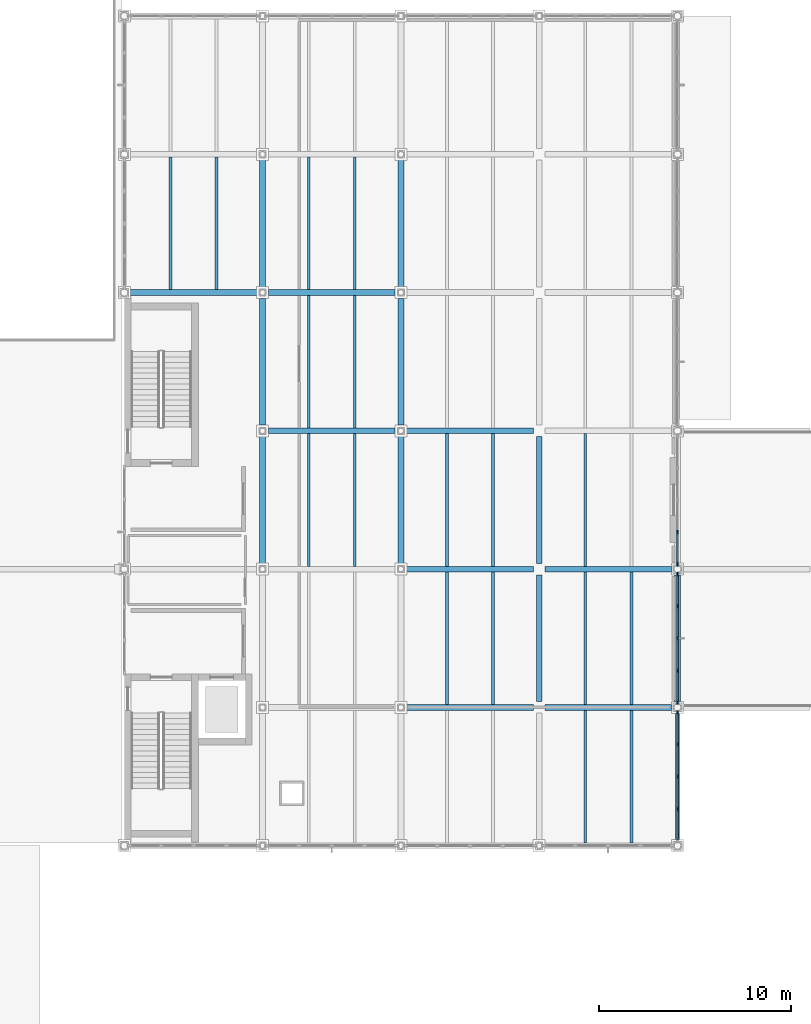
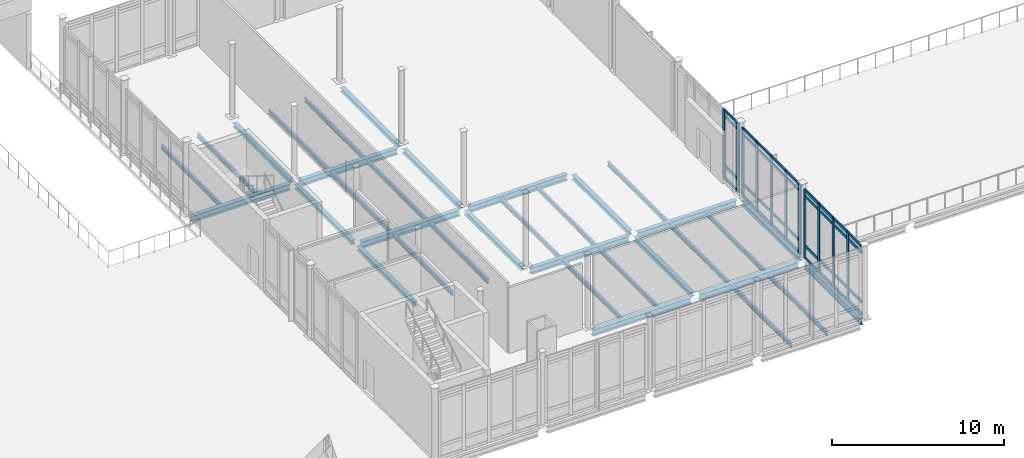
# One storey, part 27 of 89: 47 members, 35 beams, 3 elements without a shape of their own.
"""IFC4 building model written with IfcOpenShell, lengths in metres."""

from ifc_helpers import new_model, si_unit, direction, frame, origin, origin_2d, place, context, subcontext, project, spatial, rectangle, i_section, extrude, material, layer, layer_set, material_profile, profile_set, type_object, element, aggregate, save


model = new_model("IFC4")

# Units and contexts
model_context = context("Model", 3, precision=1e-05, world=origin(), true_north=direction((0.0, 1.0)))
body_context = subcontext(model_context, "Body", "Model", "MODEL_VIEW")
ifc_project = project(units=[si_unit("LENGTHUNIT", "METRE"), si_unit("AREAUNIT", "SQUARE_METRE"), si_unit("VOLUMEUNIT", "CUBIC_METRE"), si_unit("PLANEANGLEUNIT", "RADIAN"), si_unit("MASSUNIT", "GRAM", prefix="KILO")], contexts=[model_context])

# Site, building, storey
site_placement = place(None, origin())
site = spatial("IfcSite", under=ifc_project, at=site_placement, CompositionType="ELEMENT")
building_placement = place(site_placement, origin())
building = spatial("IfcBuilding", under=site, at=building_placement, Name="Zarrinpeak Specialist Clinic", CompositionType="ELEMENT")
storey_placement = place(building_placement, origin())
storey = spatial("IfcBuildingStorey", under=building, at=storey_placement, Name="L00", CompositionType="ELEMENT", Elevation=0.0)

# Beams
ifc_material_1 = material(Name="Steel S355", Category="steel")
ifc_material_profile_1 = material_profile(ifc_material_1, i_section(OverallWidth=0.300048828125, OverallDepth=0.2900390625, WebThickness=0.008544921875, FlangeThickness=0.013916015625, FilletRadius=0.027099609375, at=origin_2d()), Name="HEA 300")
ifc_profile_set_1 = profile_set([ifc_material_profile_1], Name="Steel S355")
beam_type_1 = type_object("IfcBeamType", Name="BM-HEA300", PredefinedType="BEAM", material=ifc_profile_set_1)
for number, where, z_axis, x_axis, name in (
    (1, (100.800048828125, 43.498046875, -0.39501953125), (0.0, 1.0, 0.0), (-1.0, 0.0, 0.0), "L00 Primary Beam BM-L00-Y0377"),
    (2, (100.800048828125, 50.697998046875, -0.39501953125), (0.0, 1.0, 0.0), (-1.0, 0.0, 0.0), "L00 Primary Beam BM-L00-Y0378"),
    (3, (100.800048828125, 57.89794921875, -0.39501953125), (0.0, 1.0, 0.0), (-1.0, 0.0, 0.0), "L00 Primary Beam BM-L00-Y0379"),
    (4, (108.0, 43.498046875, -0.39501953125), (0.0, 1.0, 0.0), (-1.0, 0.0, 0.0), "L00 Primary Beam BM-L00-Y0383"),
    (5, (108.0, 50.697998046875, -0.39501953125), (0.0, 1.0, 0.0), (-1.0, 0.0, 0.0), "L00 Primary Beam BM-L00-Y0384"),
    (6, (108.0, 57.89794921875, -0.39501953125), (0.0, 1.0, 0.0), (-1.0, 0.0, 0.0), "L00 Primary Beam BM-L00-Y0385"),
    (7, (115.199951171875, 36.298095703125, -0.39501953125), (0.0, 1.0, 0.0), (-1.0, 0.0, 0.0), "L00 Primary Beam BM-L00-Y0388"),
    (8, (115.199951171875, 43.498046875, -0.39501953125), (0.0, 1.0, 0.0), (-1.0, 0.0, 0.0), "L00 Primary Beam BM-L00-Y0389"),
    (9, (122.39990234375, 36.298095703125, -0.39501953125), (0.0, 1.0, 0.0), (-1.0, 0.0, 0.0), "L00 Primary Beam BM-L00-Y0394"),
):
    element("IfcBeam", number, at=place(storey_placement, frame(where, z_axis=z_axis, x_axis=x_axis)), inside=storey, type_object=beam_type_1, Name=name, PredefinedType="BEAM", context=body_context, shape_type="SweptSolid", body=[
        extrude(i_section(OverallWidth=0.300048828125, OverallDepth=0.2900390625, WebThickness=0.008544921875, FlangeThickness=0.013916015625, FilletRadius=0.027099609375, at=origin_2d()), origin(), (0.0, 0.0, 1.0), 6.60400390625),
    ])
ifc_material_profile_2 = material_profile(ifc_material_1, i_section(OverallWidth=0.300048828125, OverallDepth=0.43994140625, WebThickness=0.011474609375, FlangeThickness=0.02099609375, FilletRadius=0.027099609375, at=origin_2d()), Name="HEA 450")
ifc_profile_set_2 = profile_set([ifc_material_profile_2], Name="Steel S355")
beam_type_2 = type_object("IfcBeamType", Name="BM-HEA450", PredefinedType="BEAM", material=ifc_profile_set_2)
for number, where, z_axis, x_axis, name in (
    (10, (108.298095703125, 36.0, -0.469970703125), (1.0, 0.0, 0.0), (0.0, 1.0, 0.0), "L00 Primary Floor Girder BM-L00-X0069"),
    (11, (115.498046875, 36.0, -0.469970703125), (1.0, 0.0, 0.0), (0.0, 1.0, 0.0), "L00 Primary Floor Girder BM-L00-X0070"),
    (12, (108.298095703125, 43.199951171875, -0.469970703125), (1.0, 0.0, 0.0), (0.0, 1.0, 0.0), "L00 Primary Floor Girder BM-L00-X0093"),
    (13, (115.498046875, 43.199951171875, -0.469970703125), (1.0, 0.0, 0.0), (0.0, 1.0, 0.0), "L00 Primary Floor Girder BM-L00-X0094"),
    (14, (101.097900390625, 50.39990234375, -0.469970703125), (1.0, 0.0, 0.0), (0.0, 1.0, 0.0), "L00 Primary Floor Girder BM-L00-X0114"),
    (15, (108.298095703125, 50.39990234375, -0.469970703125), (1.0, 0.0, 0.0), (0.0, 1.0, 0.0), "L00 Primary Floor Girder BM-L00-X0115"),
    (16, (93.89794921875, 57.60009765625, -0.469970703125), (1.0, 0.0, 0.0), (0.0, 1.0, 0.0), "L00 Primary Floor Girder BM-L00-X0140"),
    (17, (101.097900390625, 57.60009765625, -0.469970703125), (1.0, 0.0, 0.0), (0.0, 1.0, 0.0), "L00 Primary Floor Girder BM-L00-X0141"),
):
    element("IfcBeam", number, at=place(storey_placement, frame(where, z_axis=z_axis, x_axis=x_axis)), inside=storey, type_object=beam_type_2, Name=name, PredefinedType="BEAM", context=body_context, shape_type="SweptSolid", body=[
        extrude(i_section(OverallWidth=0.300048828125, OverallDepth=0.43994140625, WebThickness=0.011474609375, FlangeThickness=0.02099609375, FilletRadius=0.027099609375, at=origin_2d()), origin(), (0.0, 0.0, 1.0), 6.60400390625),
    ])
ifc_material_profile_3 = material_profile(ifc_material_1, i_section(OverallWidth=0.14990234375, OverallDepth=0.300048828125, WebThickness=0.007080078125, FlangeThickness=0.0107421875, FilletRadius=0.014892578125, at=origin_2d()), Name="IPE 300")
ifc_profile_set_3 = profile_set([ifc_material_profile_3], Name="Steel S355")
beam_type_3 = type_object("IfcBeamType", Name="BM-JST300", PredefinedType="JOIST", material=ifc_profile_set_3)
for number, where, z_axis, x_axis, name in (
    (18, (96.0, 57.748046875, -0.39990234375), (0.0, 1.0, 0.0), (-1.0, 0.0, 0.0), "L00 Composite Floor Joist JST-L00-0501"),
    (19, (98.39990234375, 57.748046875, -0.39990234375), (0.0, 1.0, 0.0), (-1.0, 0.0, 0.0), "L00 Composite Floor Joist JST-L00-0502"),
    (20, (103.199951171875, 43.347900390625, -0.39990234375), (0.0, 1.0, 0.0), (-1.0, 0.0, 0.0), "L00 Composite Floor Joist JST-L00-0509"),
    (21, (105.60009765625, 43.347900390625, -0.39990234375), (0.0, 1.0, 0.0), (-1.0, 0.0, 0.0), "L00 Composite Floor Joist JST-L00-0510"),
):
    element("IfcBeam", number, at=place(storey_placement, frame(where, z_axis=z_axis, x_axis=x_axis)), inside=storey, type_object=beam_type_3, Name=name, PredefinedType="JOIST", context=body_context, shape_type="SweptSolid", body=[
        extrude(i_section(OverallWidth=0.14990234375, OverallDepth=0.300048828125, WebThickness=0.007080078125, FlangeThickness=0.0107421875, FilletRadius=0.014892578125, at=origin_2d()), origin(), (0.0, 0.0, 1.0), 6.904052734375),
    ])
for number, where, z_axis, x_axis, name in (
    (22, (103.199951171875, 50.548095703125, -0.39990234375), (0.0, 1.0, 0.0), (-1.0, 0.0, 0.0), "L00 Composite Floor Joist JST-L00-0511"),
    (23, (105.60009765625, 50.548095703125, -0.39990234375), (0.0, 1.0, 0.0), (-1.0, 0.0, 0.0), "L00 Composite Floor Joist JST-L00-0512"),
):
    element("IfcBeam", number, at=place(storey_placement, frame(where, z_axis=z_axis, x_axis=x_axis)), inside=storey, type_object=beam_type_3, Name=name, PredefinedType="JOIST", context=body_context, shape_type="SweptSolid", body=[
        extrude(i_section(OverallWidth=0.14990234375, OverallDepth=0.300048828125, WebThickness=0.007080078125, FlangeThickness=0.0107421875, FilletRadius=0.014892578125, at=origin_2d()), origin(), (0.0, 0.0, 1.0), 6.90380859375),
    ])
for number, where, z_axis, x_axis, name in (
    (24, (103.199951171875, 57.748046875, -0.39990234375), (0.0, 1.0, 0.0), (-1.0, 0.0, 0.0), "L00 Composite Floor Joist JST-L00-0513"),
    (25, (105.60009765625, 57.748046875, -0.39990234375), (0.0, 1.0, 0.0), (-1.0, 0.0, 0.0), "L00 Composite Floor Joist JST-L00-0514"),
    (26, (110.39990234375, 36.14794921875, -0.39990234375), (0.0, 1.0, 0.0), (-1.0, 0.0, 0.0), "L00 Composite Floor Joist JST-L00-0519"),
    (27, (112.800048828125, 36.14794921875, -0.39990234375), (0.0, 1.0, 0.0), (-1.0, 0.0, 0.0), "L00 Composite Floor Joist JST-L00-0520"),
    (28, (110.39990234375, 43.347900390625, -0.39990234375), (0.0, 1.0, 0.0), (-1.0, 0.0, 0.0), "L00 Composite Floor Joist JST-L00-0521"),
    (29, (112.800048828125, 43.347900390625, -0.39990234375), (0.0, 1.0, 0.0), (-1.0, 0.0, 0.0), "L00 Composite Floor Joist JST-L00-0522"),
    (30, (117.60009765625, 28.947998046875, -0.39990234375), (0.0, 1.0, 0.0), (-1.0, 0.0, 0.0), "L00 Composite Floor Joist JST-L00-0529"),
    (31, (120.0, 28.947998046875, -0.39990234375), (0.0, 1.0, 0.0), (-1.0, 0.0, 0.0), "L00 Composite Floor Joist JST-L00-0530"),
    (32, (117.60009765625, 36.14794921875, -0.39990234375), (0.0, 1.0, 0.0), (-1.0, 0.0, 0.0), "L00 Composite Floor Joist JST-L00-0531"),
    (33, (120.0, 36.14794921875, -0.39990234375), (0.0, 1.0, 0.0), (-1.0, 0.0, 0.0), "L00 Composite Floor Joist JST-L00-0532"),
    (34, (117.60009765625, 43.347900390625, -0.39990234375), (0.0, 1.0, 0.0), (-1.0, 0.0, 0.0), "L00 Composite Floor Joist JST-L00-0533"),
):
    element("IfcBeam", number, at=place(storey_placement, frame(where, z_axis=z_axis, x_axis=x_axis)), inside=storey, type_object=beam_type_3, Name=name, PredefinedType="JOIST", context=body_context, shape_type="SweptSolid", body=[
        extrude(i_section(OverallWidth=0.14990234375, OverallDepth=0.300048828125, WebThickness=0.007080078125, FlangeThickness=0.0107421875, FilletRadius=0.014892578125, at=origin_2d()), origin(), (0.0, 0.0, 1.0), 6.904052734375),
    ])
ifc_material_profile_4 = material_profile(ifc_material_1, i_section(OverallWidth=0.18994140625, OverallDepth=0.449951171875, WebThickness=0.009521484375, FlangeThickness=0.0146484375, FilletRadius=0.02099609375, at=origin_2d()), Name="IPE 450")
ifc_profile_set_4 = profile_set([ifc_material_profile_4], Name="Steel S355")
beam_type_4 = type_object("IfcBeamType", Name="BM-SP450", PredefinedType="SPANDREL", material=ifc_profile_set_4)
beam_placement = place(storey_placement, frame((122.39990234375, 29.097900390625, -0.47509765625), z_axis=(0.0, 1.0, 0.0), x_axis=(-1.0, 0.0, 0.0)))
element("IfcBeam", 35, at=beam_placement, inside=storey, type_object=beam_type_4, Name="L00 Perimeter Spandrel Beam BM-L00-Y0393", PredefinedType="SPANDREL", context=body_context, shape_type="SweptSolid", body=[
    extrude(i_section(OverallWidth=0.18994140625, OverallDepth=0.449951171875, WebThickness=0.009521484375, FlangeThickness=0.0146484375, FilletRadius=0.02099609375, at=origin_2d()), origin(), (0.0, 0.0, 1.0), 6.60400390625),
])

# Curtain wall, members
ifc_material_2 = material(Name="Anodised Aluminium Alloy 6063-T6", Category="aluminium")
ifc_layer = layer(ifc_material_2, 0.199951171875)
ifc_layer_set = layer_set([ifc_layer], Name="Anodised Aluminium Alloy 6063-T6")
curtain_wall_type = type_object("IfcCurtainWallType", Name="CW-HALL", PredefinedType="NOTDEFINED", material=ifc_layer_set)
curtain_wall_1_placement = place(storey_placement, origin())
curtain_wall_1 = element("IfcCurtainWall", 36, at=curtain_wall_1_placement, inside=storey, type_object=curtain_wall_type, Name="L00 V3 Unitised Curtain Wall CW-L00-V3-091", PredefinedType="NOTDEFINED")
ifc_material_profile_5 = material_profile(ifc_material_2, rectangle(XDim=0.090087890625, YDim=0.219970703125, at=origin_2d()), Name="ALU 90x220")
ifc_profile_set_5 = profile_set([ifc_material_profile_5], Name="Anodised Aluminium Alloy 6063-T6")
member_type_1 = type_object("IfcMemberType", Name="CWM-90", PredefinedType="MULLION", material=ifc_profile_set_5)
member_1_placement = place(storey_placement, frame((122.39990234375, 30.714111328125, 0.0), z_axis=(0.0, 0.0, 1.0), x_axis=(-1.0, 0.0, 0.0)))
member_1 = element("IfcMember", 37, at=member_1_placement, type_object=member_type_1, Name="CW-02 mullion 2", PredefinedType="MULLION", context=body_context, shape_type="SweptSolid", body=[
    extrude(rectangle(XDim=0.090087890625, YDim=0.219970703125, at=origin_2d()), origin(), (0.0, 0.0, 1.0), 4.875),
])
member_2_placement = place(storey_placement, frame((122.39990234375, 32.39990234375, 0.0), z_axis=(0.0, 0.0, 1.0), x_axis=(-1.0, 0.0, 0.0)))
member_2 = element("IfcMember", 38, at=member_2_placement, type_object=member_type_1, Name="CW-02 mullion 3", PredefinedType="MULLION", context=body_context, shape_type="SweptSolid", body=[
    extrude(rectangle(XDim=0.090087890625, YDim=0.219970703125, at=origin_2d()), origin(), (0.0, 0.0, 1.0), 4.875),
])
member_3_placement = place(storey_placement, frame((122.39990234375, 34.0859375, 0.0), z_axis=(0.0, 0.0, 1.0), x_axis=(-1.0, 0.0, 0.0)))
member_3 = element("IfcMember", 39, at=member_3_placement, type_object=member_type_1, Name="CW-02 mullion 4", PredefinedType="MULLION", context=body_context, shape_type="SweptSolid", body=[
    extrude(rectangle(XDim=0.090087890625, YDim=0.219970703125, at=origin_2d()), origin(), (0.0, 0.0, 1.0), 4.875),
])
member_4_placement = place(storey_placement, frame((122.39990234375, 35.726806640625, 0.0), z_axis=(0.0, 0.0, 1.0), x_axis=(-1.0, 0.0, 0.0)))
member_4 = element("IfcMember", 40, at=member_4_placement, type_object=member_type_1, Name="CW-02 mullion 5", PredefinedType="MULLION", context=body_context, shape_type="SweptSolid", body=[
    extrude(rectangle(XDim=0.090087890625, YDim=0.219970703125, at=origin_2d()), origin(), (0.0, 0.0, 1.0), 4.875),
])

curtain_wall_2_placement = place(storey_placement, origin())
curtain_wall_2 = element("IfcCurtainWall", 41, at=curtain_wall_2_placement, inside=storey, type_object=curtain_wall_type, Name="L00 V3 Unitised Curtain Wall CW-L00-V3-092", PredefinedType="NOTDEFINED")
member_5_placement = place(storey_placement, frame((122.39990234375, 36.273193359375, 0.0), z_axis=(0.0, 0.0, 1.0), x_axis=(-1.0, 0.0, 0.0)))
member_5 = element("IfcMember", 42, at=member_5_placement, type_object=member_type_1, Name="CW-02 mullion 1", PredefinedType="MULLION", context=body_context, shape_type="SweptSolid", body=[
    extrude(rectangle(XDim=0.090087890625, YDim=0.219970703125, at=origin_2d()), origin(), (0.0, 0.0, 1.0), 4.875),
])
member_6_placement = place(storey_placement, frame((122.39990234375, 37.9140625, 0.0), z_axis=(0.0, 0.0, 1.0), x_axis=(-1.0, 0.0, 0.0)))
member_6 = element("IfcMember", 43, at=member_6_placement, type_object=member_type_1, Name="CW-02 mullion 2", PredefinedType="MULLION", context=body_context, shape_type="SweptSolid", body=[
    extrude(rectangle(XDim=0.090087890625, YDim=0.219970703125, at=origin_2d()), origin(), (0.0, 0.0, 1.0), 4.875),
])
member_7_placement = place(storey_placement, frame((122.39990234375, 39.60009765625, 0.0), z_axis=(0.0, 0.0, 1.0), x_axis=(-1.0, 0.0, 0.0)))
member_7 = element("IfcMember", 44, at=member_7_placement, type_object=member_type_1, Name="CW-02 mullion 3", PredefinedType="MULLION", context=body_context, shape_type="SweptSolid", body=[
    extrude(rectangle(XDim=0.090087890625, YDim=0.219970703125, at=origin_2d()), origin(), (0.0, 0.0, 1.0), 4.875),
])
member_8_placement = place(storey_placement, frame((122.39990234375, 41.285888671875, 0.0), z_axis=(0.0, 0.0, 1.0), x_axis=(-1.0, 0.0, 0.0)))
member_8 = element("IfcMember", 45, at=member_8_placement, type_object=member_type_1, Name="CW-02 mullion 4", PredefinedType="MULLION", context=body_context, shape_type="SweptSolid", body=[
    extrude(rectangle(XDim=0.090087890625, YDim=0.219970703125, at=origin_2d()), origin(), (0.0, 0.0, 1.0), 4.875),
])
member_9_placement = place(storey_placement, frame((122.39990234375, 42.9267578125, 0.0), z_axis=(0.0, 0.0, 1.0), x_axis=(-1.0, 0.0, 0.0)))
member_9 = element("IfcMember", 46, at=member_9_placement, type_object=member_type_1, Name="CW-02 mullion 5", PredefinedType="MULLION", context=body_context, shape_type="SweptSolid", body=[
    extrude(rectangle(XDim=0.090087890625, YDim=0.219970703125, at=origin_2d()), origin(), (0.0, 0.0, 1.0), 4.875),
])

curtain_wall_3_placement = place(storey_placement, origin())
curtain_wall_3 = element("IfcCurtainWall", 47, at=curtain_wall_3_placement, inside=storey, type_object=curtain_wall_type, Name="L00 V3 Unitised Curtain Wall CW-L00-V3-093", PredefinedType="NOTDEFINED")
member_10_placement = place(storey_placement, frame((122.39990234375, 43.47314453125, 0.0), z_axis=(0.0, 0.0, 1.0), x_axis=(-1.0, 0.0, 0.0)))
member_10 = element("IfcMember", 48, at=member_10_placement, type_object=member_type_1, Name="CW-02 mullion 1", PredefinedType="MULLION", context=body_context, shape_type="SweptSolid", body=[
    extrude(rectangle(XDim=0.090087890625, YDim=0.219970703125, at=origin_2d()), origin(), (0.0, 0.0, 1.0), 4.875),
])
member_11_placement = place(storey_placement, frame((122.39990234375, 45.114013671875, 0.0), z_axis=(0.0, 0.0, 1.0), x_axis=(-1.0, 0.0, 0.0)))
member_11 = element("IfcMember", 49, at=member_11_placement, type_object=member_type_1, Name="CW-02 mullion 2", PredefinedType="MULLION", context=body_context, shape_type="SweptSolid", body=[
    extrude(rectangle(XDim=0.090087890625, YDim=0.219970703125, at=origin_2d()), origin(), (0.0, 0.0, 1.0), 4.875),
])

# Member
ifc_material_profile_6 = material_profile(ifc_material_2, rectangle(XDim=0.090087890625, YDim=0.18994140625, at=origin_2d()), Name="ALU 90x190")
ifc_profile_set_6 = profile_set([ifc_material_profile_6], Name="Anodised Aluminium Alloy 6063-T6")
member_type_2 = type_object("IfcMemberType", Name="CWT-90", PredefinedType="USERDEFINED", material=ifc_profile_set_6)
member_12_placement = place(storey_placement, frame((122.39990234375, 29.1181640625, 0.044921875), z_axis=(0.0, 1.0, 0.0), x_axis=(-1.0, 0.0, 0.0)))
member_12 = element("IfcMember", 50, at=member_12_placement, type_object=member_type_2, Name="CW-02 transom 1.1", ObjectType="TRANSOM", PredefinedType="USERDEFINED", context=body_context, shape_type="SweptSolid", body=[
    extrude(rectangle(XDim=0.090087890625, YDim=0.18994140625, at=origin_2d()), origin(), (0.0, 0.0, 1.0), 1.551025390625),
])

member_13_placement = place(storey_placement, frame((122.39990234375, 29.1181640625, 0.89990234375), z_axis=(0.0, 1.0, 0.0), x_axis=(-1.0, 0.0, 0.0)))
member_13 = element("IfcMember", 51, at=member_13_placement, type_object=member_type_2, Name="CW-02 transom 1.2", ObjectType="TRANSOM", PredefinedType="USERDEFINED", context=body_context, shape_type="SweptSolid", body=[
    extrude(rectangle(XDim=0.090087890625, YDim=0.18994140625, at=origin_2d()), origin(), (0.0, 0.0, 1.0), 1.551025390625),
])

member_14_placement = place(storey_placement, frame((122.39990234375, 29.1181640625, 4.425048828125), z_axis=(0.0, 1.0, 0.0), x_axis=(-1.0, 0.0, 0.0)))
member_14 = element("IfcMember", 52, at=member_14_placement, type_object=member_type_2, Name="CW-02 transom 1.3", ObjectType="TRANSOM", PredefinedType="USERDEFINED", context=body_context, shape_type="SweptSolid", body=[
    extrude(rectangle(XDim=0.090087890625, YDim=0.18994140625, at=origin_2d()), origin(), (0.0, 0.0, 1.0), 1.551025390625),
])

member_15_placement = place(storey_placement, frame((122.39990234375, 29.1181640625, 4.830078125), z_axis=(0.0, 1.0, 0.0), x_axis=(-1.0, 0.0, 0.0)))
member_15 = element("IfcMember", 53, at=member_15_placement, type_object=member_type_2, Name="CW-02 transom 1.4", ObjectType="TRANSOM", PredefinedType="USERDEFINED", context=body_context, shape_type="SweptSolid", body=[
    extrude(rectangle(XDim=0.090087890625, YDim=0.18994140625, at=origin_2d()), origin(), (0.0, 0.0, 1.0), 1.551025390625),
])

member_16_placement = place(storey_placement, frame((122.39990234375, 30.759033203125, 0.044921875), z_axis=(0.0, 1.0, 0.0), x_axis=(-1.0, 0.0, 0.0)))
member_16 = element("IfcMember", 54, at=member_16_placement, type_object=member_type_2, Name="CW-02 transom 2.1", ObjectType="TRANSOM", PredefinedType="USERDEFINED", context=body_context, shape_type="SweptSolid", body=[
    extrude(rectangle(XDim=0.090087890625, YDim=0.18994140625, at=origin_2d()), origin(), (0.0, 0.0, 1.0), 1.595947265625),
])

member_17_placement = place(storey_placement, frame((122.39990234375, 30.759033203125, 0.89990234375), z_axis=(0.0, 1.0, 0.0), x_axis=(-1.0, 0.0, 0.0)))
member_17 = element("IfcMember", 55, at=member_17_placement, type_object=member_type_2, Name="CW-02 transom 2.2", ObjectType="TRANSOM", PredefinedType="USERDEFINED", context=body_context, shape_type="SweptSolid", body=[
    extrude(rectangle(XDim=0.090087890625, YDim=0.18994140625, at=origin_2d()), origin(), (0.0, 0.0, 1.0), 1.595947265625),
])

member_18_placement = place(storey_placement, frame((122.39990234375, 30.759033203125, 4.425048828125), z_axis=(0.0, 1.0, 0.0), x_axis=(-1.0, 0.0, 0.0)))
member_18 = element("IfcMember", 56, at=member_18_placement, type_object=member_type_2, Name="CW-02 transom 2.3", ObjectType="TRANSOM", PredefinedType="USERDEFINED", context=body_context, shape_type="SweptSolid", body=[
    extrude(rectangle(XDim=0.090087890625, YDim=0.18994140625, at=origin_2d()), origin(), (0.0, 0.0, 1.0), 1.595947265625),
])

member_19_placement = place(storey_placement, frame((122.39990234375, 30.759033203125, 4.830078125), z_axis=(0.0, 1.0, 0.0), x_axis=(-1.0, 0.0, 0.0)))
member_19 = element("IfcMember", 57, at=member_19_placement, type_object=member_type_2, Name="CW-02 transom 2.4", ObjectType="TRANSOM", PredefinedType="USERDEFINED", context=body_context, shape_type="SweptSolid", body=[
    extrude(rectangle(XDim=0.090087890625, YDim=0.18994140625, at=origin_2d()), origin(), (0.0, 0.0, 1.0), 1.595947265625),
])

member_20_placement = place(storey_placement, frame((122.39990234375, 32.445068359375, 0.044921875), z_axis=(0.0, 1.0, 0.0), x_axis=(-1.0, 0.0, 0.0)))
member_20 = element("IfcMember", 58, at=member_20_placement, type_object=member_type_2, Name="CW-02 transom 3.1", ObjectType="TRANSOM", PredefinedType="USERDEFINED", context=body_context, shape_type="SweptSolid", body=[
    extrude(rectangle(XDim=0.090087890625, YDim=0.18994140625, at=origin_2d()), origin(), (0.0, 0.0, 1.0), 1.595947265625),
])

member_21_placement = place(storey_placement, frame((122.39990234375, 32.445068359375, 0.89990234375), z_axis=(0.0, 1.0, 0.0), x_axis=(-1.0, 0.0, 0.0)))
member_21 = element("IfcMember", 59, at=member_21_placement, type_object=member_type_2, Name="CW-02 transom 3.2", ObjectType="TRANSOM", PredefinedType="USERDEFINED", context=body_context, shape_type="SweptSolid", body=[
    extrude(rectangle(XDim=0.090087890625, YDim=0.18994140625, at=origin_2d()), origin(), (0.0, 0.0, 1.0), 1.595947265625),
])

member_22_placement = place(storey_placement, frame((122.39990234375, 32.445068359375, 4.425048828125), z_axis=(0.0, 1.0, 0.0), x_axis=(-1.0, 0.0, 0.0)))
member_22 = element("IfcMember", 60, at=member_22_placement, type_object=member_type_2, Name="CW-02 transom 3.3", ObjectType="TRANSOM", PredefinedType="USERDEFINED", context=body_context, shape_type="SweptSolid", body=[
    extrude(rectangle(XDim=0.090087890625, YDim=0.18994140625, at=origin_2d()), origin(), (0.0, 0.0, 1.0), 1.595947265625),
])

member_23_placement = place(storey_placement, frame((122.39990234375, 32.445068359375, 4.830078125), z_axis=(0.0, 1.0, 0.0), x_axis=(-1.0, 0.0, 0.0)))
member_23 = element("IfcMember", 61, at=member_23_placement, type_object=member_type_2, Name="CW-02 transom 3.4", ObjectType="TRANSOM", PredefinedType="USERDEFINED", context=body_context, shape_type="SweptSolid", body=[
    extrude(rectangle(XDim=0.090087890625, YDim=0.18994140625, at=origin_2d()), origin(), (0.0, 0.0, 1.0), 1.595947265625),
])

member_24_placement = place(storey_placement, frame((122.39990234375, 34.130859375, 0.044921875), z_axis=(0.0, 1.0, 0.0), x_axis=(-1.0, 0.0, 0.0)))
member_24 = element("IfcMember", 62, at=member_24_placement, type_object=member_type_2, Name="CW-02 transom 4.1", ObjectType="TRANSOM", PredefinedType="USERDEFINED", context=body_context, shape_type="SweptSolid", body=[
    extrude(rectangle(XDim=0.090087890625, YDim=0.18994140625, at=origin_2d()), origin(), (0.0, 0.0, 1.0), 1.551025390625),
])

member_25_placement = place(storey_placement, frame((122.39990234375, 34.130859375, 0.89990234375), z_axis=(0.0, 1.0, 0.0), x_axis=(-1.0, 0.0, 0.0)))
member_25 = element("IfcMember", 63, at=member_25_placement, type_object=member_type_2, Name="CW-02 transom 4.2", ObjectType="TRANSOM", PredefinedType="USERDEFINED", context=body_context, shape_type="SweptSolid", body=[
    extrude(rectangle(XDim=0.090087890625, YDim=0.18994140625, at=origin_2d()), origin(), (0.0, 0.0, 1.0), 1.551025390625),
])

member_26_placement = place(storey_placement, frame((122.39990234375, 34.130859375, 4.425048828125), z_axis=(0.0, 1.0, 0.0), x_axis=(-1.0, 0.0, 0.0)))
member_26 = element("IfcMember", 64, at=member_26_placement, type_object=member_type_2, Name="CW-02 transom 4.3", ObjectType="TRANSOM", PredefinedType="USERDEFINED", context=body_context, shape_type="SweptSolid", body=[
    extrude(rectangle(XDim=0.090087890625, YDim=0.18994140625, at=origin_2d()), origin(), (0.0, 0.0, 1.0), 1.551025390625),
])

member_27_placement = place(storey_placement, frame((122.39990234375, 34.130859375, 4.830078125), z_axis=(0.0, 1.0, 0.0), x_axis=(-1.0, 0.0, 0.0)))
member_27 = element("IfcMember", 65, at=member_27_placement, type_object=member_type_2, Name="CW-02 transom 4.4", ObjectType="TRANSOM", PredefinedType="USERDEFINED", context=body_context, shape_type="SweptSolid", body=[
    extrude(rectangle(XDim=0.090087890625, YDim=0.18994140625, at=origin_2d()), origin(), (0.0, 0.0, 1.0), 1.551025390625),
])

aggregate(curtain_wall_1, [member_1, member_2, member_3, member_4, member_12, member_13, member_14, member_15, member_16, member_17, member_18, member_19, member_20, member_21, member_22, member_23, member_24, member_25, member_26, member_27])

member_28_placement = place(storey_placement, frame((122.39990234375, 36.318115234375, 0.044921875), z_axis=(0.0, 1.0, 0.0), x_axis=(-1.0, 0.0, 0.0)))
member_28 = element("IfcMember", 66, at=member_28_placement, type_object=member_type_2, Name="CW-02 transom 1.1", ObjectType="TRANSOM", PredefinedType="USERDEFINED", context=body_context, shape_type="SweptSolid", body=[
    extrude(rectangle(XDim=0.090087890625, YDim=0.18994140625, at=origin_2d()), origin(), (0.0, 0.0, 1.0), 1.551025390625),
])

member_29_placement = place(storey_placement, frame((122.39990234375, 36.318115234375, 0.89990234375), z_axis=(0.0, 1.0, 0.0), x_axis=(-1.0, 0.0, 0.0)))
member_29 = element("IfcMember", 67, at=member_29_placement, type_object=member_type_2, Name="CW-02 transom 1.2", ObjectType="TRANSOM", PredefinedType="USERDEFINED", context=body_context, shape_type="SweptSolid", body=[
    extrude(rectangle(XDim=0.090087890625, YDim=0.18994140625, at=origin_2d()), origin(), (0.0, 0.0, 1.0), 1.551025390625),
])

member_30_placement = place(storey_placement, frame((122.39990234375, 36.318115234375, 4.425048828125), z_axis=(0.0, 1.0, 0.0), x_axis=(-1.0, 0.0, 0.0)))
member_30 = element("IfcMember", 68, at=member_30_placement, type_object=member_type_2, Name="CW-02 transom 1.3", ObjectType="TRANSOM", PredefinedType="USERDEFINED", context=body_context, shape_type="SweptSolid", body=[
    extrude(rectangle(XDim=0.090087890625, YDim=0.18994140625, at=origin_2d()), origin(), (0.0, 0.0, 1.0), 1.551025390625),
])

member_31_placement = place(storey_placement, frame((122.39990234375, 36.318115234375, 4.830078125), z_axis=(0.0, 1.0, 0.0), x_axis=(-1.0, 0.0, 0.0)))
member_31 = element("IfcMember", 69, at=member_31_placement, type_object=member_type_2, Name="CW-02 transom 1.4", ObjectType="TRANSOM", PredefinedType="USERDEFINED", context=body_context, shape_type="SweptSolid", body=[
    extrude(rectangle(XDim=0.090087890625, YDim=0.18994140625, at=origin_2d()), origin(), (0.0, 0.0, 1.0), 1.551025390625),
])

member_32_placement = place(storey_placement, frame((122.39990234375, 37.958984375, 0.044921875), z_axis=(0.0, 1.0, 0.0), x_axis=(-1.0, 0.0, 0.0)))
member_32 = element("IfcMember", 70, at=member_32_placement, type_object=member_type_2, Name="CW-02 transom 2.1", ObjectType="TRANSOM", PredefinedType="USERDEFINED", context=body_context, shape_type="SweptSolid", body=[
    extrude(rectangle(XDim=0.090087890625, YDim=0.18994140625, at=origin_2d()), origin(), (0.0, 0.0, 1.0), 1.595947265625),
])

member_33_placement = place(storey_placement, frame((122.39990234375, 37.958984375, 0.89990234375), z_axis=(0.0, 1.0, 0.0), x_axis=(-1.0, 0.0, 0.0)))
member_33 = element("IfcMember", 71, at=member_33_placement, type_object=member_type_2, Name="CW-02 transom 2.2", ObjectType="TRANSOM", PredefinedType="USERDEFINED", context=body_context, shape_type="SweptSolid", body=[
    extrude(rectangle(XDim=0.090087890625, YDim=0.18994140625, at=origin_2d()), origin(), (0.0, 0.0, 1.0), 1.595947265625),
])

member_34_placement = place(storey_placement, frame((122.39990234375, 37.958984375, 4.425048828125), z_axis=(0.0, 1.0, 0.0), x_axis=(-1.0, 0.0, 0.0)))
member_34 = element("IfcMember", 72, at=member_34_placement, type_object=member_type_2, Name="CW-02 transom 2.3", ObjectType="TRANSOM", PredefinedType="USERDEFINED", context=body_context, shape_type="SweptSolid", body=[
    extrude(rectangle(XDim=0.090087890625, YDim=0.18994140625, at=origin_2d()), origin(), (0.0, 0.0, 1.0), 1.595947265625),
])

member_35_placement = place(storey_placement, frame((122.39990234375, 37.958984375, 4.830078125), z_axis=(0.0, 1.0, 0.0), x_axis=(-1.0, 0.0, 0.0)))
member_35 = element("IfcMember", 73, at=member_35_placement, type_object=member_type_2, Name="CW-02 transom 2.4", ObjectType="TRANSOM", PredefinedType="USERDEFINED", context=body_context, shape_type="SweptSolid", body=[
    extrude(rectangle(XDim=0.090087890625, YDim=0.18994140625, at=origin_2d()), origin(), (0.0, 0.0, 1.0), 1.595947265625),
])

member_36_placement = place(storey_placement, frame((122.39990234375, 39.64501953125, 0.044921875), z_axis=(0.0, 1.0, 0.0), x_axis=(-1.0, 0.0, 0.0)))
member_36 = element("IfcMember", 74, at=member_36_placement, type_object=member_type_2, Name="CW-02 transom 3.1", ObjectType="TRANSOM", PredefinedType="USERDEFINED", context=body_context, shape_type="SweptSolid", body=[
    extrude(rectangle(XDim=0.090087890625, YDim=0.18994140625, at=origin_2d()), origin(), (0.0, 0.0, 1.0), 1.595947265625),
])

member_37_placement = place(storey_placement, frame((122.39990234375, 39.64501953125, 0.89990234375), z_axis=(0.0, 1.0, 0.0), x_axis=(-1.0, 0.0, 0.0)))
member_37 = element("IfcMember", 75, at=member_37_placement, type_object=member_type_2, Name="CW-02 transom 3.2", ObjectType="TRANSOM", PredefinedType="USERDEFINED", context=body_context, shape_type="SweptSolid", body=[
    extrude(rectangle(XDim=0.090087890625, YDim=0.18994140625, at=origin_2d()), origin(), (0.0, 0.0, 1.0), 1.595947265625),
])

member_38_placement = place(storey_placement, frame((122.39990234375, 39.64501953125, 4.425048828125), z_axis=(0.0, 1.0, 0.0), x_axis=(-1.0, 0.0, 0.0)))
member_38 = element("IfcMember", 76, at=member_38_placement, type_object=member_type_2, Name="CW-02 transom 3.3", ObjectType="TRANSOM", PredefinedType="USERDEFINED", context=body_context, shape_type="SweptSolid", body=[
    extrude(rectangle(XDim=0.090087890625, YDim=0.18994140625, at=origin_2d()), origin(), (0.0, 0.0, 1.0), 1.595947265625),
])

member_39_placement = place(storey_placement, frame((122.39990234375, 39.64501953125, 4.830078125), z_axis=(0.0, 1.0, 0.0), x_axis=(-1.0, 0.0, 0.0)))
member_39 = element("IfcMember", 77, at=member_39_placement, type_object=member_type_2, Name="CW-02 transom 3.4", ObjectType="TRANSOM", PredefinedType="USERDEFINED", context=body_context, shape_type="SweptSolid", body=[
    extrude(rectangle(XDim=0.090087890625, YDim=0.18994140625, at=origin_2d()), origin(), (0.0, 0.0, 1.0), 1.595947265625),
])

member_40_placement = place(storey_placement, frame((122.39990234375, 41.330810546875, 0.044921875), z_axis=(0.0, 1.0, 0.0), x_axis=(-1.0, 0.0, 0.0)))
member_40 = element("IfcMember", 78, at=member_40_placement, type_object=member_type_2, Name="CW-02 transom 4.1", ObjectType="TRANSOM", PredefinedType="USERDEFINED", context=body_context, shape_type="SweptSolid", body=[
    extrude(rectangle(XDim=0.090087890625, YDim=0.18994140625, at=origin_2d()), origin(), (0.0, 0.0, 1.0), 1.551025390625),
])

member_41_placement = place(storey_placement, frame((122.39990234375, 41.330810546875, 0.89990234375), z_axis=(0.0, 1.0, 0.0), x_axis=(-1.0, 0.0, 0.0)))
member_41 = element("IfcMember", 79, at=member_41_placement, type_object=member_type_2, Name="CW-02 transom 4.2", ObjectType="TRANSOM", PredefinedType="USERDEFINED", context=body_context, shape_type="SweptSolid", body=[
    extrude(rectangle(XDim=0.090087890625, YDim=0.18994140625, at=origin_2d()), origin(), (0.0, 0.0, 1.0), 1.551025390625),
])

member_42_placement = place(storey_placement, frame((122.39990234375, 41.330810546875, 4.425048828125), z_axis=(0.0, 1.0, 0.0), x_axis=(-1.0, 0.0, 0.0)))
member_42 = element("IfcMember", 80, at=member_42_placement, type_object=member_type_2, Name="CW-02 transom 4.3", ObjectType="TRANSOM", PredefinedType="USERDEFINED", context=body_context, shape_type="SweptSolid", body=[
    extrude(rectangle(XDim=0.090087890625, YDim=0.18994140625, at=origin_2d()), origin(), (0.0, 0.0, 1.0), 1.551025390625),
])

member_43_placement = place(storey_placement, frame((122.39990234375, 41.330810546875, 4.830078125), z_axis=(0.0, 1.0, 0.0), x_axis=(-1.0, 0.0, 0.0)))
member_43 = element("IfcMember", 81, at=member_43_placement, type_object=member_type_2, Name="CW-02 transom 4.4", ObjectType="TRANSOM", PredefinedType="USERDEFINED", context=body_context, shape_type="SweptSolid", body=[
    extrude(rectangle(XDim=0.090087890625, YDim=0.18994140625, at=origin_2d()), origin(), (0.0, 0.0, 1.0), 1.551025390625),
])

aggregate(curtain_wall_2, [member_5, member_6, member_7, member_8, member_9, member_28, member_29, member_30, member_31, member_32, member_33, member_34, member_35, member_36, member_37, member_38, member_39, member_40, member_41, member_42, member_43])

member_44_placement = place(storey_placement, frame((122.39990234375, 43.518310546875, 0.044921875), z_axis=(0.0, 1.0, 0.0), x_axis=(-1.0, 0.0, 0.0)))
member_44 = element("IfcMember", 82, at=member_44_placement, type_object=member_type_2, Name="CW-02 transom 1.1", ObjectType="TRANSOM", PredefinedType="USERDEFINED", context=body_context, shape_type="SweptSolid", body=[
    extrude(rectangle(XDim=0.090087890625, YDim=0.18994140625, at=origin_2d()), origin(), (0.0, 0.0, 1.0), 1.55078125),
])

member_45_placement = place(storey_placement, frame((122.39990234375, 43.518310546875, 0.89990234375), z_axis=(0.0, 1.0, 0.0), x_axis=(-1.0, 0.0, 0.0)))
member_45 = element("IfcMember", 83, at=member_45_placement, type_object=member_type_2, Name="CW-02 transom 1.2", ObjectType="TRANSOM", PredefinedType="USERDEFINED", context=body_context, shape_type="SweptSolid", body=[
    extrude(rectangle(XDim=0.090087890625, YDim=0.18994140625, at=origin_2d()), origin(), (0.0, 0.0, 1.0), 1.55078125),
])

member_46_placement = place(storey_placement, frame((122.39990234375, 43.518310546875, 4.425048828125), z_axis=(0.0, 1.0, 0.0), x_axis=(-1.0, 0.0, 0.0)))
member_46 = element("IfcMember", 84, at=member_46_placement, type_object=member_type_2, Name="CW-02 transom 1.3", ObjectType="TRANSOM", PredefinedType="USERDEFINED", context=body_context, shape_type="SweptSolid", body=[
    extrude(rectangle(XDim=0.090087890625, YDim=0.18994140625, at=origin_2d()), origin(), (0.0, 0.0, 1.0), 1.55078125),
])

member_47_placement = place(storey_placement, frame((122.39990234375, 43.518310546875, 4.830078125), z_axis=(0.0, 1.0, 0.0), x_axis=(-1.0, 0.0, 0.0)))
member_47 = element("IfcMember", 85, at=member_47_placement, type_object=member_type_2, Name="CW-02 transom 1.4", ObjectType="TRANSOM", PredefinedType="USERDEFINED", context=body_context, shape_type="SweptSolid", body=[
    extrude(rectangle(XDim=0.090087890625, YDim=0.18994140625, at=origin_2d()), origin(), (0.0, 0.0, 1.0), 1.55078125),
])

aggregate(curtain_wall_3, [member_10, member_11, member_44, member_45, member_46, member_47])

save(model, "model.ifc")
